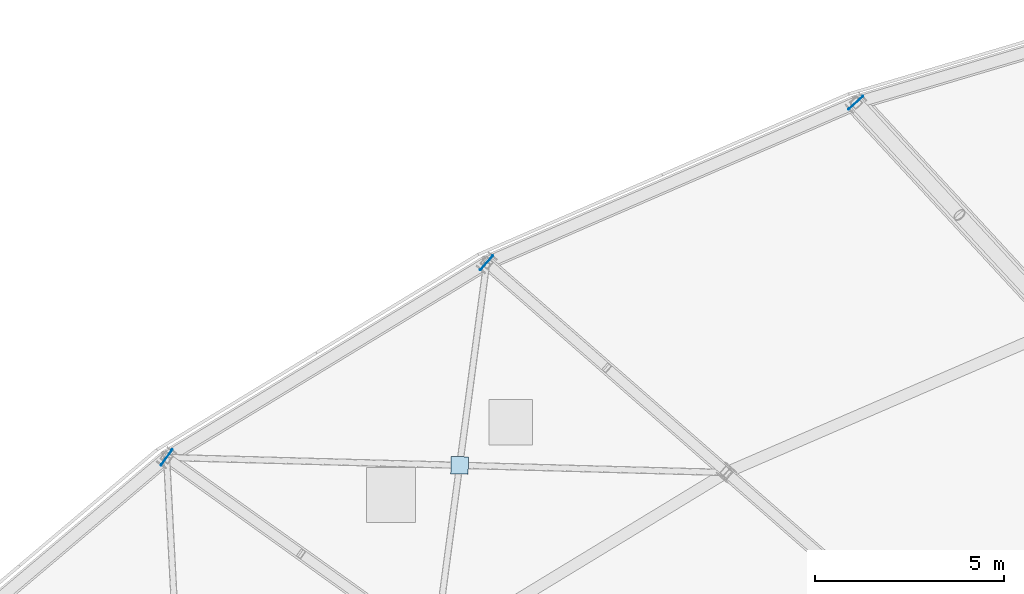
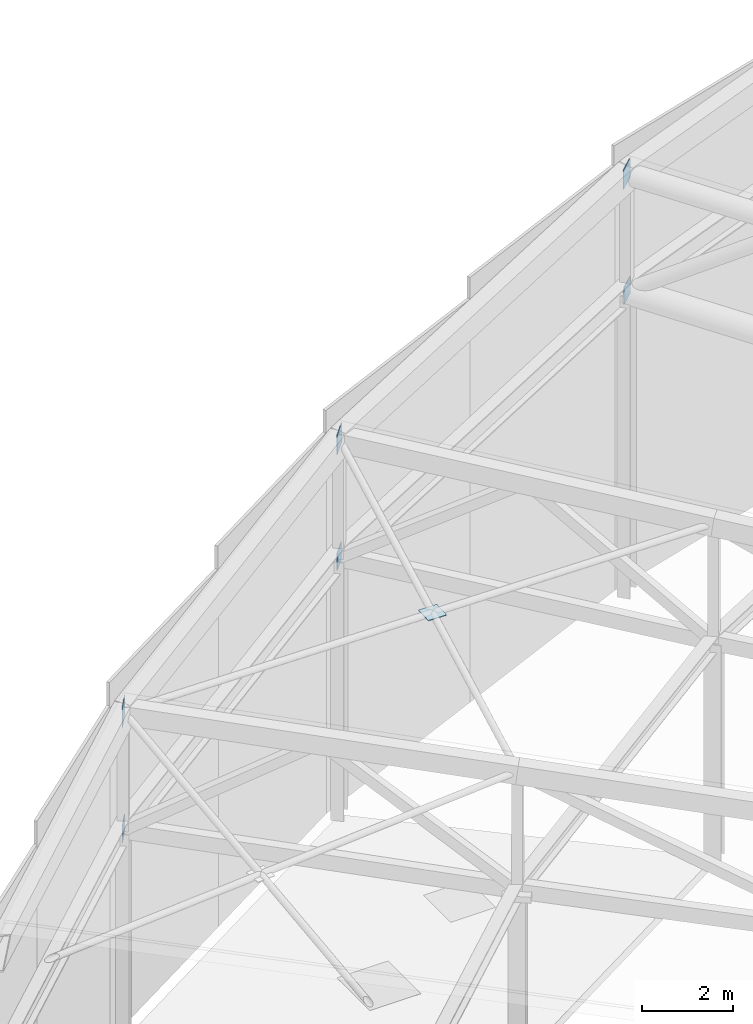
# One storey, part 131 of 143: 7 plates.
"""IFC4 building model written with IfcOpenShell, lengths in metres."""

from ifc_helpers import new_model, si_unit, direction, frame, origin, origin_2d, place, context, subcontext, project, spatial, rectangle, extrude, material, layer, layer_set, type_object, element, save


model = new_model("IFC4")

# Units and contexts
model_context = context("Model", 3, precision=1e-05, world=origin(), true_north=direction((0.0, 1.0)))
body_context = subcontext(model_context, "Body", "Model", "MODEL_VIEW")
ifc_project = project(units=[si_unit("LENGTHUNIT", "METRE"), si_unit("AREAUNIT", "SQUARE_METRE"), si_unit("VOLUMEUNIT", "CUBIC_METRE"), si_unit("PLANEANGLEUNIT", "RADIAN"), si_unit("MASSUNIT", "GRAM", prefix="KILO")], contexts=[model_context])

# Site, building, storey
site_placement = place(None, origin())
site = spatial("IfcSite", under=ifc_project, at=site_placement, CompositionType="ELEMENT")
building_placement = place(site_placement, origin())
building = spatial("IfcBuilding", under=site, at=building_placement, Name="Mphavela Belvedere Stadium", CompositionType="ELEMENT")
storey_placement = place(building_placement, frame((0.0, 0.0, 28.800048828125)))
storey = spatial("IfcBuildingStorey", under=building, at=storey_placement, Name="RF", CompositionType="ELEMENT", Elevation=28.800048828125)

# Plates
ifc_material_1 = material(Name="Steel S355", Category="steel")
ifc_layer_1 = layer(ifc_material_1, 0.01806640625)
ifc_layer_set_1 = layer_set([ifc_layer_1], Name="Steel S355")
plate_type_1 = type_object("IfcPlateType", Name="PLT-CAP-TRUSS-BC", PredefinedType="USERDEFINED", material=ifc_layer_set_1)
for number, where, z_axis, x_axis, name in (
    (1, (54.0625, 153.09130859375, 7.880859375), (0.0, 0.0, 1.0), (-0.677903094969, 0.735151272753, 0.0), "Roof truss RT-17 hollow-end cap plate out_bc"),
    (2, (44.3037109375, 148.86083984375, 6.723388671875), (0.0, 0.0, 1.0), (-0.752529860433, 0.658558128912, 0.0), "Roof truss RT-18 hollow-end cap plate out_bc"),
):
    element("IfcPlate", number, at=place(storey_placement, frame(where, z_axis=z_axis, x_axis=x_axis)), inside=storey, type_object=plate_type_1, Name=name, ObjectType="GUSSET_PLATE", PredefinedType="USERDEFINED", context=body_context, shape_type="SweptSolid", body=[
        extrude(rectangle(XDim=0.01806640625, YDim=0.4599609375, at=origin_2d()), origin(), (0.0, 0.0, 1.0), 0.4599609375),
    ])
plate_1_placement = place(storey_placement, frame((43.589111328125, 143.50634765625, 8.91552734375), z_axis=(0.0, 0.0, 1.0), x_axis=(-0.999638806409, 0.026874834341, 0.0)))
element("IfcPlate", 3, at=plate_1_placement, inside=storey, type_object=plate_type_1, Name="Roof X-brace crossing gusset node plate 18", ObjectType="GUSSET_PLATE", PredefinedType="USERDEFINED", context=body_context, shape_type="SweptSolid", body=[
    extrude(rectangle(XDim=0.4599609375, YDim=0.4599609375, at=origin_2d()), origin(), (0.0, 0.0, 1.0), 0.01806640625),
])
plate_2_placement = place(storey_placement, frame((35.844482421875, 143.714599609375, 5.48095703125), z_axis=(0.0, 0.0, 1.0), x_axis=(-0.812897512265, 0.582406760395, 0.0)))
element("IfcPlate", 4, at=plate_2_placement, inside=storey, type_object=plate_type_1, Name="Roof truss RT-19 hollow-end cap plate out_bc", ObjectType="GUSSET_PLATE", PredefinedType="USERDEFINED", context=body_context, shape_type="SweptSolid", body=[
    extrude(rectangle(XDim=0.01806640625, YDim=0.4599609375, at=origin_2d()), origin(), (0.0, 0.0, 1.0), 0.4599609375),
])
ifc_material_2 = material(Name="Steel S355", Category="steel")
ifc_layer_2 = layer(ifc_material_2, 0.02001953125)
ifc_layer_set_2 = layer_set([ifc_layer_2], Name="Steel S355")
plate_type_2 = type_object("IfcPlateType", Name="PLT-CAP-TRUSS-TC", PredefinedType="USERDEFINED", material=ifc_layer_set_2)
for number, where, z_axis, x_axis, name in (
    (5, (54.0625, 153.09130859375, 11.0009765625), (0.0, 0.0, 1.0), (-0.677903094969, 0.735151272753, 0.0), "Roof truss RT-17 hollow-end cap plate out_tc"),
    (6, (44.3037109375, 148.86083984375, 9.84326171875), (0.0, 0.0, 1.0), (-0.752529860433, 0.658558128912, 0.0), "Roof truss RT-18 hollow-end cap plate out_tc"),
    (7, (35.844482421875, 143.714599609375, 8.600830078125), (0.0, 0.0, 1.0), (-0.812897512265, 0.582406760395, 0.0), "Roof truss RT-19 hollow-end cap plate out_tc"),
):
    element("IfcPlate", number, at=place(storey_placement, frame(where, z_axis=z_axis, x_axis=x_axis)), inside=storey, type_object=plate_type_2, Name=name, ObjectType="GUSSET_PLATE", PredefinedType="USERDEFINED", context=body_context, shape_type="SweptSolid", body=[
        extrude(rectangle(XDim=0.02001953125, YDim=0.52001953125, at=origin_2d()), origin(), (0.0, 0.0, 1.0), 0.52001953125),
    ])

save(model, "model.ifc")
